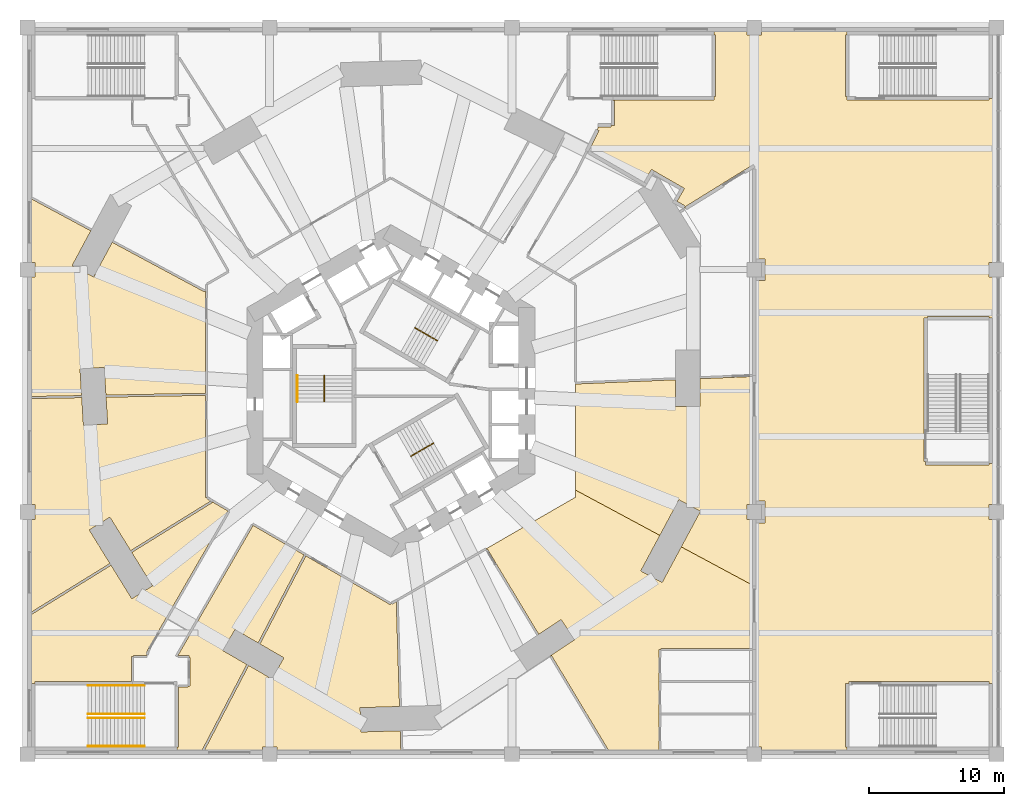
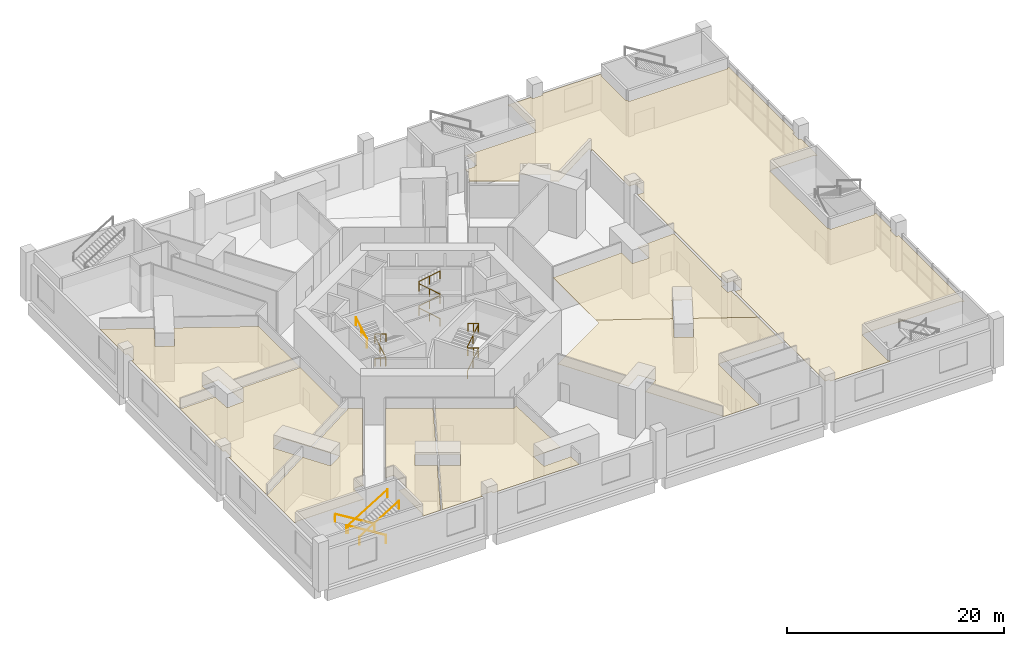
# One storey, part 15 of 16: 8 coverings, 8 railings.
"""IFC4 building model written with IfcOpenShell, lengths in metres."""

from ifc_helpers import new_model, si_unit, direction, frame, origin, origin_2d, place, context, subcontext, project, spatial, polyline, circle, outline, extrude, material, layer, layer_set, type_object, element, save


model = new_model("IFC4")

# Units and contexts
model_context = context("Model", 3, precision=1e-05, world=origin(), true_north=direction((0.0, 1.0)))
body_context = subcontext(model_context, "Body", "Model", "MODEL_VIEW")
ifc_project = project(units=[si_unit("LENGTHUNIT", "METRE"), si_unit("AREAUNIT", "SQUARE_METRE"), si_unit("VOLUMEUNIT", "CUBIC_METRE"), si_unit("PLANEANGLEUNIT", "RADIAN"), si_unit("MASSUNIT", "GRAM", prefix="KILO")], contexts=[model_context])

# Site, building, storey
site_placement = place(None, origin())
site = spatial("IfcSite", under=ifc_project, at=site_placement, CompositionType="ELEMENT")
building_placement = place(site_placement, origin())
building = spatial("IfcBuilding", under=site, at=building_placement, Name="Vanh Sen Convention Tower", CompositionType="ELEMENT")
storey_placement = place(building_placement, frame((0.0, 0.0, 7.5)))
storey = spatial("IfcBuildingStorey", under=building, at=storey_placement, Name="L01", CompositionType="ELEMENT", Elevation=7.5)

# Railings
ifc_material_1 = material(Name="Stainless steel", Category="steel")
railing_type_1 = type_object("IfcRailingType", Name="Podium handrail 900", PredefinedType="HANDRAIL", material=ifc_material_1)
for number, where, name in (
    (1, (-18.300048828125, -21.89990234375, 0.171875), "Handrail PS6 L01"),
    (2, (-18.300048828125, -24.0, 0.171875), "Handrail PS6 L01"),
):
    element("IfcRailing", number, at=place(storey_placement, frame(where)), inside=storey, type_object=railing_type_1, Name=name, PredefinedType="HANDRAIL", context=body_context, shape_type="SweptSolid", body=[
        extrude(circle(Radius=0.02392578125, at=origin_2d()), frame((0.0, 0.0, 0.8759765625), z_axis=(-0.852242915053, 0.0, 0.523146264196), x_axis=(0.0, -1.0, 0.0)), (0.0, 0.0, 1.0), 4.92822265625),
        extrude(circle(Radius=0.02099609375, at=origin_2d()), origin(), (0.0, 0.0, 1.0), 0.851806640625),
        extrude(circle(Radius=0.02099609375, at=origin_2d()), frame((-4.199951171875, 0.0, 2.578125)), (0.0, 0.0, 1.0), 0.851806640625),
    ])
for number, where, name in (
    (3, (-22.5, -26.39990234375, 2.921875), "Handrail PS6 L01"),
    (4, (-22.5, -24.300048828125, 2.921875), "Handrail PS6 L01"),
):
    element("IfcRailing", number, at=place(storey_placement, frame(where)), inside=storey, type_object=railing_type_1, Name=name, PredefinedType="HANDRAIL", context=body_context, shape_type="SweptSolid", body=[
        extrude(circle(Radius=0.02392578125, at=origin_2d()), frame((0.0, 0.0, 0.8759765625), z_axis=(0.852242915053, 0.0, 0.523146264196), x_axis=(0.0, 1.0, 0.0)), (0.0, 0.0, 1.0), 4.92822265625),
        extrude(circle(Radius=0.02099609375, at=origin_2d()), origin(), (0.0, 0.0, 1.0), 0.851806640625),
        extrude(circle(Radius=0.02099609375, at=origin_2d()), frame((4.199951171875, 0.0, 2.578125)), (0.0, 0.0, 1.0), 0.851806640625),
    ])
ifc_material_2 = material(Name="Stainless steel handrail", Category="steel")
railing_type_2 = type_object("IfcRailingType", Name="Stair handrail 900", PredefinedType="HANDRAIL", material=ifc_material_2)
railing_1_placement = place(storey_placement, frame((3.45849609375, 3.690185546875, 0.171875)))
element("IfcRailing", 5, at=railing_1_placement, inside=storey, type_object=railing_type_2, Name="Stair handrail ST1 L01", PredefinedType="HANDRAIL", context=body_context, shape_type="SweptSolid", body=[
    extrude(circle(Radius=0.02392578125, at=origin_2d()), frame((0.0, 0.0, 0.8759765625), z_axis=(-0.738088823262, 0.426102191367, 0.52312695542), x_axis=(-0.499970440388, -0.866042469362, 0.0)), (0.0, 0.0, 1.0), 2.2998046875),
    extrude(circle(Radius=0.02392578125, at=origin_2d()), frame((-1.697509765625, 0.97998046875, 2.0791015625), z_axis=(0.499298623879, 0.866429964967, 0.0), x_axis=(-0.866429964967, 0.499298623879, 0.0)), (0.0, 0.0, 1.0), 0.0498046875),
    extrude(circle(Radius=0.02392578125, at=origin_2d()), frame((-1.672607421875, 1.023193359375, 2.0791015625), z_axis=(0.0, 0.0, 1.0), x_axis=(1.0, 0.0, 0.0)), (0.0, 0.0, 1.0), 0.171875),
    extrude(circle(Radius=0.02392578125, at=origin_2d()), frame((-1.672607421875, 1.023193359375, 2.2509765625), z_axis=(0.738088823262, -0.426102191367, 0.52312695542), x_axis=(0.499970440388, 0.866042469362, 0.0)), (0.0, 0.0, 1.0), 2.2998046875),
    extrude(circle(Radius=0.02392578125, at=origin_2d()), frame((0.02490234375, 0.043212890625, 3.4541015625), z_axis=(-0.499298623879, -0.866429964967, 0.0), x_axis=(0.866429964967, -0.499298623879, 0.0)), (0.0, 0.0, 1.0), 0.0498046875),
    extrude(circle(Radius=0.02392578125, at=origin_2d()), frame((0.0, 0.0, 3.4541015625), z_axis=(0.0, 0.0, 1.0), x_axis=(1.0, 0.0, 0.0)), (0.0, 0.0, 1.0), 0.171875),
    extrude(circle(Radius=0.02392578125, at=origin_2d()), frame((0.0, 0.0, 3.6259765625), z_axis=(-0.738088823262, 0.426102191367, 0.52312695542), x_axis=(-0.499970440388, -0.866042469362, 0.0)), (0.0, 0.0, 1.0), 2.2998046875),
    extrude(circle(Radius=0.02392578125, at=origin_2d()), frame((-1.697509765625, 0.97998046875, 4.8291015625), z_axis=(0.499298623879, 0.866429964967, 0.0), x_axis=(-0.866429964967, 0.499298623879, 0.0)), (0.0, 0.0, 1.0), 0.0498046875),
    extrude(circle(Radius=0.02392578125, at=origin_2d()), frame((-1.672607421875, 1.023193359375, 4.8291015625), z_axis=(0.0, 0.0, 1.0), x_axis=(1.0, 0.0, 0.0)), (0.0, 0.0, 1.0), 0.171875),
    extrude(circle(Radius=0.02392578125, at=origin_2d()), frame((-1.672607421875, 1.023193359375, 5.0009765625), z_axis=(0.738088823262, -0.426102191367, 0.52312695542), x_axis=(0.499970440388, 0.866042469362, 0.0)), (0.0, 0.0, 1.0), 2.2998046875),
    extrude(circle(Radius=0.02099609375, at=origin_2d()), origin(), (0.0, 0.0, 1.0), 0.851806640625),
    extrude(circle(Radius=0.02099609375, at=origin_2d()), frame((-0.8486328125, 0.489990234375, 0.6015625)), (0.0, 0.0, 1.0), 0.851806640625),
    extrude(circle(Radius=0.02099609375, at=origin_2d()), frame((-1.697509765625, 0.97998046875, 1.203125)), (0.0, 0.0, 1.0), 0.851806640625),
    extrude(circle(Radius=0.02099609375, at=origin_2d()), frame((-1.672607421875, 1.023193359375, 1.203125)), (0.0, 0.0, 1.0), 0.851806640625),
    extrude(circle(Radius=0.02099609375, at=origin_2d()), frame((-1.672607421875, 1.023193359375, 1.375)), (0.0, 0.0, 1.0), 0.851806640625),
    extrude(circle(Radius=0.02099609375, at=origin_2d()), frame((-0.82373046875, 0.533203125, 1.9765625)), (0.0, 0.0, 1.0), 0.851806640625),
    extrude(circle(Radius=0.02099609375, at=origin_2d()), frame((0.02490234375, 0.043212890625, 2.578125)), (0.0, 0.0, 1.0), 0.851806640625),
    extrude(circle(Radius=0.02099609375, at=origin_2d()), frame((0.0, 0.0, 2.578125)), (0.0, 0.0, 1.0), 0.851806640625),
    extrude(circle(Radius=0.02099609375, at=origin_2d()), frame((0.0, 0.0, 2.75)), (0.0, 0.0, 1.0), 0.851806640625),
    extrude(circle(Radius=0.02099609375, at=origin_2d()), frame((-0.8486328125, 0.489990234375, 3.3515625)), (0.0, 0.0, 1.0), 0.851806640625),
    extrude(circle(Radius=0.02099609375, at=origin_2d()), frame((-1.697509765625, 0.97998046875, 3.953125)), (0.0, 0.0, 1.0), 0.851806640625),
    extrude(circle(Radius=0.02099609375, at=origin_2d()), frame((-1.672607421875, 1.023193359375, 3.953125)), (0.0, 0.0, 1.0), 0.851806640625),
    extrude(circle(Radius=0.02099609375, at=origin_2d()), frame((-1.672607421875, 1.023193359375, 4.125)), (0.0, 0.0, 1.0), 0.851806640625),
    extrude(circle(Radius=0.02099609375, at=origin_2d()), frame((-0.82373046875, 0.533203125, 4.7265625)), (0.0, 0.0, 1.0), 0.851806640625),
    extrude(circle(Radius=0.02099609375, at=origin_2d()), frame((0.02490234375, 0.043212890625, 5.328125)), (0.0, 0.0, 1.0), 0.851806640625),
])
railing_2_placement = place(storey_placement, frame((-4.925048828125, 1.14990234375, 0.171875)))
element("IfcRailing", 6, at=railing_2_placement, inside=storey, type_object=railing_type_2, Name="Stair handrail ST2 L01", PredefinedType="HANDRAIL", context=body_context, shape_type="SweptSolid", body=[
    extrude(circle(Radius=0.02392578125, at=origin_2d()), frame((0.0, 0.0, 0.8759765625), z_axis=(0.0, -0.852240978134, 0.523149419562), x_axis=(1.0, 0.0, 0.0)), (0.0, 0.0, 1.0), 2.2998046875),
    extrude(circle(Radius=0.02392578125, at=origin_2d()), frame((0.0, -1.9599609375, 2.0791015625), z_axis=(-1.0, 0.0, 0.0), x_axis=(0.0, -1.0, 0.0)), (0.0, 0.0, 1.0), 0.050048828125),
    extrude(circle(Radius=0.02392578125, at=origin_2d()), frame((-0.050048828125, -1.9599609375, 2.0791015625), z_axis=(0.0, 0.0, 1.0), x_axis=(1.0, 0.0, 0.0)), (0.0, 0.0, 1.0), 0.171875),
    extrude(circle(Radius=0.02392578125, at=origin_2d()), frame((-0.050048828125, -1.9599609375, 2.2509765625), z_axis=(0.0, 0.852240978134, 0.523149419562), x_axis=(-1.0, 0.0, 0.0)), (0.0, 0.0, 1.0), 2.2998046875),
    extrude(circle(Radius=0.02392578125, at=origin_2d()), frame((-0.050048828125, 0.0, 3.4541015625), z_axis=(1.0, 0.0, 0.0), x_axis=(0.0, 1.0, 0.0)), (0.0, 0.0, 1.0), 0.050048828125),
    extrude(circle(Radius=0.02392578125, at=origin_2d()), frame((0.0, 0.0, 3.4541015625), z_axis=(0.0, 0.0, 1.0), x_axis=(1.0, 0.0, 0.0)), (0.0, 0.0, 1.0), 0.171875),
    extrude(circle(Radius=0.02392578125, at=origin_2d()), frame((0.0, 0.0, 3.6259765625), z_axis=(0.0, -0.852240978134, 0.523149419562), x_axis=(1.0, 0.0, 0.0)), (0.0, 0.0, 1.0), 2.2998046875),
    extrude(circle(Radius=0.02099609375, at=origin_2d()), origin(), (0.0, 0.0, 1.0), 0.851806640625),
    extrude(circle(Radius=0.02099609375, at=origin_2d()), frame((0.0, -0.97998046875, 0.6015625)), (0.0, 0.0, 1.0), 0.851806640625),
    extrude(circle(Radius=0.02099609375, at=origin_2d()), frame((0.0, -1.9599609375, 1.203125)), (0.0, 0.0, 1.0), 0.851806640625),
    extrude(circle(Radius=0.02099609375, at=origin_2d()), frame((-0.050048828125, -1.9599609375, 1.203125)), (0.0, 0.0, 1.0), 0.851806640625),
    extrude(circle(Radius=0.02099609375, at=origin_2d()), frame((-0.050048828125, -1.9599609375, 1.375)), (0.0, 0.0, 1.0), 0.851806640625),
    extrude(circle(Radius=0.02099609375, at=origin_2d()), frame((-0.050048828125, -0.97998046875, 1.9765625)), (0.0, 0.0, 1.0), 0.851806640625),
    extrude(circle(Radius=0.02099609375, at=origin_2d()), frame((-0.050048828125, 0.0, 2.578125)), (0.0, 0.0, 1.0), 0.851806640625),
    extrude(circle(Radius=0.02099609375, at=origin_2d()), frame((0.0, 0.0, 2.578125)), (0.0, 0.0, 1.0), 0.851806640625),
    extrude(circle(Radius=0.02099609375, at=origin_2d()), frame((0.0, 0.0, 2.75)), (0.0, 0.0, 1.0), 0.851806640625),
    extrude(circle(Radius=0.02099609375, at=origin_2d()), frame((0.0, -0.97998046875, 3.3515625)), (0.0, 0.0, 1.0), 0.851806640625),
    extrude(circle(Radius=0.02099609375, at=origin_2d()), frame((0.0, -1.9599609375, 3.953125)), (0.0, 0.0, 1.0), 0.851806640625),
])
railing_3_placement = place(storey_placement, frame((1.466552734375, -4.840087890625, 0.171875)))
element("IfcRailing", 7, at=railing_3_placement, inside=storey, type_object=railing_type_2, Name="Stair handrail ST3 L01", PredefinedType="HANDRAIL", context=body_context, shape_type="SweptSolid", body=[
    extrude(circle(Radius=0.02392578125, at=origin_2d()), frame((0.0, 0.0, 0.8759765625), z_axis=(0.738088823262, 0.426102191367, 0.52312695542), x_axis=(-0.499970440388, 0.866042469362, 0.0)), (0.0, 0.0, 1.0), 2.2998046875),
    extrude(circle(Radius=0.02392578125, at=origin_2d()), frame((1.697509765625, 0.97998046875, 2.0791015625), z_axis=(0.497188445666, -0.867642581652, 0.0), x_axis=(0.867642581652, 0.497188445666, 0.0)), (0.0, 0.0, 1.0), 0.050048828125),
    extrude(circle(Radius=0.02392578125, at=origin_2d()), frame((1.722412109375, 0.9365234375, 2.0791015625), z_axis=(0.0, 0.0, 1.0), x_axis=(1.0, 0.0, 0.0)), (0.0, 0.0, 1.0), 0.171875),
    extrude(circle(Radius=0.02392578125, at=origin_2d()), frame((1.722412109375, 0.9365234375, 2.2509765625), z_axis=(-0.738040493636, -0.42613557846, 0.523167944856), x_axis=(0.500024377727, -0.866011328839, 0.0)), (0.0, 0.0, 1.0), 2.2998046875),
    extrude(circle(Radius=0.02392578125, at=origin_2d()), frame((0.025146484375, -0.04345703125, 3.4541015625), z_axis=(-0.500844580232, 0.86553723574, 0.0), x_axis=(-0.86553723574, -0.500844580232, 0.0)), (0.0, 0.0, 1.0), 0.05029296875),
    extrude(circle(Radius=0.02392578125, at=origin_2d()), frame((0.0, 0.0, 3.4541015625), z_axis=(0.0, 0.0, 1.0), x_axis=(1.0, 0.0, 0.0)), (0.0, 0.0, 1.0), 0.171875),
    extrude(circle(Radius=0.02392578125, at=origin_2d()), frame((0.0, 0.0, 3.6259765625), z_axis=(0.738088823262, 0.426102191367, 0.52312695542), x_axis=(-0.499970440388, 0.866042469362, 0.0)), (0.0, 0.0, 1.0), 2.2998046875),
    extrude(circle(Radius=0.02392578125, at=origin_2d()), frame((1.697509765625, 0.97998046875, 4.8291015625), z_axis=(0.497188445666, -0.867642581652, 0.0), x_axis=(0.867642581652, 0.497188445666, 0.0)), (0.0, 0.0, 1.0), 0.050048828125),
    extrude(circle(Radius=0.02392578125, at=origin_2d()), frame((1.722412109375, 0.9365234375, 4.8291015625), z_axis=(0.0, 0.0, 1.0), x_axis=(1.0, 0.0, 0.0)), (0.0, 0.0, 1.0), 0.171875),
    extrude(circle(Radius=0.02392578125, at=origin_2d()), frame((1.722412109375, 0.9365234375, 5.0009765625), z_axis=(-0.738040493636, -0.42613557846, 0.523167944856), x_axis=(0.500024377727, -0.866011328839, 0.0)), (0.0, 0.0, 1.0), 2.2998046875),
    extrude(circle(Radius=0.02099609375, at=origin_2d()), origin(), (0.0, 0.0, 1.0), 0.851806640625),
    extrude(circle(Radius=0.02099609375, at=origin_2d()), frame((0.8486328125, 0.489990234375, 0.6015625)), (0.0, 0.0, 1.0), 0.851806640625),
    extrude(circle(Radius=0.02099609375, at=origin_2d()), frame((1.697509765625, 0.97998046875, 1.203125)), (0.0, 0.0, 1.0), 0.851806640625),
    extrude(circle(Radius=0.02099609375, at=origin_2d()), frame((1.722412109375, 0.9365234375, 1.203125)), (0.0, 0.0, 1.0), 0.851806640625),
    extrude(circle(Radius=0.02099609375, at=origin_2d()), frame((1.722412109375, 0.9365234375, 1.375)), (0.0, 0.0, 1.0), 0.851806640625),
    extrude(circle(Radius=0.02099609375, at=origin_2d()), frame((0.873779296875, 0.446533203125, 1.9765625)), (0.0, 0.0, 1.0), 0.851806640625),
    extrude(circle(Radius=0.02099609375, at=origin_2d()), frame((0.025146484375, -0.04345703125, 2.578125)), (0.0, 0.0, 1.0), 0.851806640625),
    extrude(circle(Radius=0.02099609375, at=origin_2d()), frame((0.0, 0.0, 2.578125)), (0.0, 0.0, 1.0), 0.851806640625),
    extrude(circle(Radius=0.02099609375, at=origin_2d()), frame((0.0, 0.0, 2.75)), (0.0, 0.0, 1.0), 0.851806640625),
    extrude(circle(Radius=0.02099609375, at=origin_2d()), frame((0.8486328125, 0.489990234375, 3.3515625)), (0.0, 0.0, 1.0), 0.851806640625),
    extrude(circle(Radius=0.02099609375, at=origin_2d()), frame((1.697509765625, 0.97998046875, 3.953125)), (0.0, 0.0, 1.0), 0.851806640625),
    extrude(circle(Radius=0.02099609375, at=origin_2d()), frame((1.722412109375, 0.9365234375, 3.953125)), (0.0, 0.0, 1.0), 0.851806640625),
    extrude(circle(Radius=0.02099609375, at=origin_2d()), frame((1.722412109375, 0.9365234375, 4.125)), (0.0, 0.0, 1.0), 0.851806640625),
    extrude(circle(Radius=0.02099609375, at=origin_2d()), frame((0.873779296875, 0.446533203125, 4.7265625)), (0.0, 0.0, 1.0), 0.851806640625),
    extrude(circle(Radius=0.02099609375, at=origin_2d()), frame((0.025146484375, -0.04345703125, 5.328125)), (0.0, 0.0, 1.0), 0.851806640625),
])
railing_4_placement = place(storey_placement, frame((-6.949951171875, -0.81005859375, 4.125)))
element("IfcRailing", 8, at=railing_4_placement, inside=storey, type_object=railing_type_2, Name="Stair wall handrail ST2 L01", PredefinedType="HANDRAIL", context=body_context, shape_type="SweptSolid", body=[
    extrude(circle(Radius=0.02392578125, at=origin_2d()), frame((0.0, 0.0, 0.8759765625), z_axis=(0.0, 0.0, 1.0), x_axis=(1.0, 0.0, 0.0)), (0.0, 0.0, 1.0), 0.171875),
    extrude(circle(Radius=0.02392578125, at=origin_2d()), frame((0.0, 0.0, 1.0478515625), z_axis=(0.0, 0.852240978134, 0.523149419562), x_axis=(-1.0, 0.0, 0.0)), (0.0, 0.0, 1.0), 2.2998046875),
    extrude(circle(Radius=0.02099609375, at=origin_2d()), origin(), (0.0, 0.0, 1.0), 0.851806640625),
    extrude(circle(Radius=0.02099609375, at=origin_2d()), frame((0.0, 0.0, 0.171875)), (0.0, 0.0, 1.0), 0.851806640625),
    extrude(circle(Radius=0.02099609375, at=origin_2d()), frame((0.0, 0.97998046875, 0.7734375)), (0.0, 0.0, 1.0), 0.851806640625),
    extrude(circle(Radius=0.02099609375, at=origin_2d()), frame((0.0, 1.9599609375, 1.375)), (0.0, 0.0, 1.0), 0.851806640625),
])

# Coverings
ifc_material_3 = material(Name="Mineral fibre tiles in a concealed grid")
ifc_layer = layer(ifc_material_3, 0.0400390625)
ifc_layer_set = layer_set([ifc_layer], Name="Mineral fibre tiles in a concealed grid")
covering_type = type_object("IfcCoveringType", Name="Suspended ceiling 600 x 600 tile", PredefinedType="CEILING", material=ifc_layer_set)
covering_1_placement = place(storey_placement, frame((0.0, 0.0, 3.9599609375)))
element("IfcCovering", 9, at=covering_1_placement, inside=storey, type_object=covering_type, Name="Suspended ceiling CL3 Plenary hall", PredefinedType="CEILING", context=body_context, shape_type="SweptSolid", body=[
    extrude(outline(polyline([(44.43994140625, 5.39990234375), (44.699951171875, 5.39990234375), (44.699951171875, 8.449951171875), (44.449951171875, 8.449951171875), (44.449951171875, 9.550048828125), (44.699951171875, 9.550048828125), (44.699951171875, 21.72509765625), (44.43994140625, 21.72509765625), (44.43994140625, 21.60009765625), (33.89990234375, 21.60009765625), (33.89990234375, 21.72509765625), (33.89990234375, 21.85009765625), (33.89990234375, 21.864990234375), (33.77490234375, 21.864990234375), (33.77490234375, 26.43994140625), (33.89990234375, 26.43994140625), (33.89990234375, 26.699951171875), (27.550048828125, 26.699951171875), (27.550048828125, 26.449951171875), (26.449951171875, 26.449951171875), (26.449951171875, 26.705078125), (24.008056640625, 26.705078125), (24.007568359375, 26.705078125), (24.007080078125, 26.705078125), (24.006591796875, 26.705078125), (24.006103515625, 26.70458984375), (24.0048828125, 26.7041015625), (24.00439453125, 26.7041015625), (24.00390625, 26.7041015625), (24.00341796875, 26.70361328125), (24.00244140625, 26.702880859375), (24.001953125, 26.702392578125), (24.00146484375, 26.702392578125), (24.0009765625, 26.701904296875), (24.0, 26.700927734375), (23.99951171875, 26.700439453125), (23.998046875, 26.698974609375), (23.99755859375, 26.698486328125), (23.99755859375, 26.697998046875), (23.9970703125, 26.697509765625), (23.99658203125, 26.696533203125), (23.99609375, 26.696044921875), (23.99609375, 26.695556640625), (23.99609375, 26.695068359375), (23.99560546875, 26.694091796875), (23.9951171875, 26.693603515625), (23.9951171875, 26.693115234375), (23.9951171875, 26.6923828125), (23.9951171875, 26.69189453125), (23.9951171875, 26.43994140625), (24.125, 26.43994140625), (24.125, 21.864990234375), (23.9951171875, 21.864990234375), (23.9951171875, 21.85009765625), (24.0, 21.85009765625), (24.0, 21.60009765625), (16.5, 21.60009765625), (16.5, 21.72607421875), (16.49951171875, 21.7255859375), (16.4990234375, 21.72509765625), (16.4990234375, 21.60009765625), (16.4951171875, 21.60009765625), (16.4951171875, 21.5849609375), (16.625, 21.5849609375), (16.625, 19.72509765625), (16.375, 19.72509765625), (16.375, 19.72998046875), (16.360107421875, 19.72998046875), (16.360107421875, 19.60009765625), (15.39990234375, 19.60009765625), (15.39990234375, 19.72607421875), (15.3994140625, 19.7255859375), (15.39892578125, 19.72509765625), (15.39794921875, 19.72412109375), (15.3974609375, 19.723388671875), (15.3974609375, 19.722900390625), (15.39697265625, 19.722412109375), (15.396484375, 19.721435546875), (15.39599609375, 19.720947265625), (15.39599609375, 19.720458984375), (15.39599609375, 19.719970703125), (15.3955078125, 19.718994140625), (15.39501953125, 19.718505859375), (15.39501953125, 19.718017578125), (15.39501953125, 19.717529296875), (15.39501953125, 19.717041015625), (15.39501953125, 19.60888671875), (15.342041015625, 19.385498046875), (15.45458984375, 19.32958984375), (14.66845703125, 17.75146484375), (14.7275390625, 17.85302734375), (18.8095703125, 15.49658203125), (19.3583984375, 16.447021484375), (19.574951171875, 16.322509765625), (19.574951171875, 16.322021484375), (21.592041015625, 15.157470703125), (21.80908203125, 15.032470703125), (21.259521484375, 14.08154296875), (21.87158203125, 13.728515625), (21.806396484375, 13.615478515625), (21.905029296875, 13.55859375), (21.905517578125, 13.55859375), (21.906494140625, 13.55810546875), (21.906982421875, 13.5576171875), (21.907470703125, 13.5576171875), (21.907958984375, 13.5576171875), (21.908447265625, 13.5576171875), (21.908935546875, 13.556884765625), (21.909423828125, 13.556884765625), (21.909912109375, 13.556884765625), (21.910400390625, 13.556884765625), (21.910888671875, 13.556396484375), (21.91162109375, 13.556396484375), (21.912109375, 13.556396484375), (21.91259765625, 13.556396484375), (21.91357421875, 13.556396484375), (21.9140625, 13.556396484375), (21.91455078125, 13.556396484375), (21.9150390625, 13.556396484375), (21.846923828125, 13.66650390625), (26.93408203125, 16.814453125), (27.06591796875, 16.6015625), (27.0, 16.56103515625), (27.0, 16.482421875), (27.125, 16.482421875), (27.125, 9.800048828125), (27.802001953125, 9.800048828125), (27.802001953125, 9.550048828125), (27.802001953125, 8.449951171875), (27.802001953125, 8.199951171875), (27.125, 8.199951171875), (27.125, 1.1474609375), (27.125, -8.199951171875), (27.802001953125, -8.199951171875), (27.802001953125, -8.449951171875), (27.802001953125, -9.550048828125), (27.802001953125, -9.800048828125), (27.125, -9.800048828125), (27.125, -14.507568359375), (27.125, -19.199951171875), (27.125, -21.60009765625), (27.125, -24.0), (27.125, -26.449951171875), (27.550048828125, -26.449951171875), (27.550048828125, -26.699951171875), (33.89990234375, -26.699951171875), (33.89990234375, -26.43994140625), (33.77490234375, -26.43994140625), (33.77490234375, -21.72509765625), (33.89990234375, -21.72509765625), (34.02490234375, -21.72509765625), (34.0400390625, -21.72509765625), (34.0400390625, -21.60009765625), (44.43994140625, -21.60009765625), (44.43994140625, -21.72509765625), (44.699951171875, -21.72509765625), (44.699951171875, -9.550048828125), (44.449951171875, -9.550048828125), (44.449951171875, -8.449951171875), (44.699951171875, -8.449951171875), (44.699951171875, -5.39990234375), (44.43994140625, -5.39990234375), (44.43994140625, -5.52490234375), (39.72509765625, -5.52490234375), (39.72509765625, -5.39990234375), (39.72509765625, -5.27490234375), (39.72509765625, -5.260009765625), (39.60009765625, -5.260009765625), (39.60009765625, 5.39990234375), (39.72509765625, 5.39990234375), (39.85009765625, 5.39990234375), (39.864990234375, 5.39990234375), (39.864990234375, 5.52490234375), (44.43994140625, 5.52490234375), (44.43994140625, 5.39990234375)])), origin(), (0.0, 0.0, 1.0), 0.0400390625),
])
covering_2_placement = place(storey_placement, frame((0.0, 0.0, 3.9599609375)))
element("IfcCovering", 10, at=covering_2_placement, inside=storey, type_object=covering_type, Name="Suspended ceiling CL3 Convention foyer", PredefinedType="CEILING", context=body_context, shape_type="SweptSolid", body=[
    extrude(outline(polyline([(13.699951171875, 0.58251953125), (13.699951171875, -7.361083984375), (19.98583984375, -10.738525390625), (21.40576171875, -8.095947265625), (22.991455078125, -8.947998046875), (21.5712890625, -11.5908203125), (26.875, -14.4404296875), (26.875, -9.550048828125), (26.449951171875, -9.550048828125), (26.449951171875, -8.449951171875), (26.875, -8.449951171875), (26.875, 1.14208984375), (26.860107421875, 1.1416015625), (26.863525390625, 1.06640625), (22.952880859375, 0.90087890625), (22.949951171875, 0.9755859375), (22.949951171875, -1.162841796875), (21.14990234375, -1.162841796875), (21.14990234375, 0.824462890625), (13.702880859375, 0.507568359375), (13.699951171875, 0.58251953125)])), origin(), (0.0, 0.0, 1.0), 0.0400390625),
])
covering_3_placement = place(storey_placement, frame((0.0, 0.0, 3.9599609375)))
element("IfcCovering", 11, at=covering_3_placement, inside=storey, type_object=covering_type, Name="Suspended ceiling CL3 Lounge", PredefinedType="CEILING", context=body_context, shape_type="SweptSolid", body=[
    extrude(outline(polyline([(-13.781494140625, -0.181396484375), (-13.780029296875, -0.256591796875), (-13.77490234375, -0.256591796875), (-13.77490234375, -0.2548828125), (-13.77490234375, 7.361572265625), (-13.77490234375, 7.402099609375), (-13.805419921875, 7.41845703125), (-13.841064453125, 7.35205078125), (-20.70068359375, 11.037841796875), (-22.085205078125, 8.461181640625), (-23.6708984375, 9.313232421875), (-22.2509765625, 11.9560546875), (-22.2509765625, 11.9560546875), (-22.28662109375, 11.889892578125), (-26.699951171875, 14.261474609375), (-26.699951171875, 9.550048828125), (-26.449951171875, 9.550048828125), (-26.449951171875, 8.449951171875), (-26.699951171875, 8.449951171875), (-26.699951171875, -0.422119140625), (-22.97119140625, -0.3525390625), (-23.092529296875, 1.630615234375), (-21.2958984375, 1.740478515625), (-21.16552734375, -0.390380859375), (-21.1669921875, -0.319091796875), (-13.781494140625, -0.181396484375)])), origin(), (0.0, 0.0, 1.0), 0.0400390625),
])
covering_4_placement = place(storey_placement, frame((0.0, 0.0, 3.9599609375)))
element("IfcCovering", 12, at=covering_4_placement, inside=storey, type_object=covering_type, Name="Suspended ceiling CL3 Breakout meeting room", PredefinedType="CEILING", context=body_context, shape_type="SweptSolid", body=[
    extrude(outline(polyline([(-13.685546875, -8.00439453125), (-13.64794921875, -7.939453125), (-13.699951171875, -7.909423828125), (-13.77490234375, -7.909423828125), (-13.77490234375, -0.256591796875), (-13.780029296875, -0.256591796875), (-13.778564453125, -0.33154296875), (-21.160888671875, -0.468994140625), (-21.03955078125, -2.45166015625), (-22.836181640625, -2.5615234375), (-22.96630859375, -0.4306640625), (-22.965087890625, -0.50244140625), (-26.698486328125, -0.572021484375), (-26.699951171875, -0.4970703125), (-26.699951171875, -8.449951171875), (-26.449951171875, -8.449951171875), (-26.449951171875, -9.550048828125), (-26.699951171875, -9.550048828125), (-26.699951171875, -16.4345703125), (-23.882568359375, -14.6904296875), (-20.863037109375, -12.822509765625), (-20.8544921875, -12.836181640625), (-22.402099609375, -10.3349609375), (-20.87158203125, -9.3876953125), (-19.31689453125, -11.900390625), (-19.33251953125, -11.875), (-13.37109375, -8.18603515625), (-13.685546875, -8.00439453125)])), origin(), (0.0, 0.0, 1.0), 0.0400390625),
])
covering_5_placement = place(storey_placement, frame((0.0, 0.0, 3.9599609375)))
element("IfcCovering", 13, at=covering_5_placement, inside=storey, type_object=covering_type, Name="Suspended ceiling CL3 Breakout meeting room", PredefinedType="CEILING", context=body_context, shape_type="SweptSolid", body=[
    extrude(outline(polyline([(-26.43994140625, -21.60009765625), (-19.199951171875, -21.60009765625), (-19.199951171875, -21.5849609375), (-19.27490234375, -21.5849609375), (-19.27490234375, -19.72509765625), (-19.199951171875, -19.72509765625), (-19.125, -19.72509765625), (-19.1201171875, -19.72509765625), (-19.1201171875, -19.64990234375), (-18.10009765625, -19.64990234375), (-18.10009765625, -19.593017578125), (-18.172607421875, -19.573486328125), (-18.10400390625, -19.319091796875), (-18.031494140625, -19.33837890625), (-18.021484375, -19.321044921875), (-18.08642578125, -19.283447265625), (-12.10009765625, -8.925537109375), (-12.034912109375, -8.962890625), (-12.032470703125, -8.958984375), (-13.262451171875, -8.2490234375), (-13.297607421875, -8.22900390625), (-13.326904296875, -8.2470703125), (-13.28759765625, -8.31103515625), (-19.25341796875, -12.00244140625), (-19.28125, -11.9580078125), (-17.71435546875, -14.489990234375), (-19.2451171875, -15.437255859375), (-20.783935546875, -12.949951171875), (-23.803466796875, -14.818603515625), (-26.660400390625, -16.58642578125), (-26.699951171875, -16.5224609375), (-26.699951171875, -21.72509765625), (-26.43994140625, -21.72509765625), (-26.43994140625, -21.60009765625)])), origin(), (0.0, 0.0, 1.0), 0.0400390625),
])
covering_6_placement = place(storey_placement, frame((0.0, 0.0, 3.9599609375)))
element("IfcCovering", 14, at=covering_6_placement, inside=storey, type_object=covering_type, Name="Suspended ceiling CL3 Breakout meeting room", PredefinedType="CEILING", context=body_context, shape_type="SweptSolid", body=[
    extrude(outline(polyline([(-15.0, -19.72509765625), (-15.0, -19.800048828125), (-15.0, -19.804931640625), (-14.925048828125, -19.804931640625), (-14.925048828125, -21.925048828125), (-15.0, -21.925048828125), (-15.074951171875, -21.925048828125), (-15.080078125, -21.925048828125), (-15.080078125, -22.0), (-15.760009765625, -22.0), (-15.760009765625, -21.925048828125), (-15.77490234375, -21.925048828125), (-15.77490234375, -26.43994140625), (-15.89990234375, -26.43994140625), (-15.89990234375, -26.699951171875), (-13.9384765625, -26.699951171875), (-14.0048828125, -26.66552734375), (-12.751953125, -24.265380859375), (-10.696533203125, -20.32861328125), (-10.63134765625, -20.3623046875), (-12.482177734375, -19.293701171875), (-11.58203125, -17.735107421875), (-9.861572265625, -18.728271484375), (-6.448974609375, -12.19189453125), (-6.382568359375, -12.2265625), (-6.380615234375, -12.222412109375), (-6.383056640625, -12.220947265625), (-6.383056640625, -12.220458984375), (-10.300537109375, -9.958984375), (-10.302978515625, -9.96337890625), (-10.238037109375, -10.0009765625), (-15.81494140625, -19.64990234375), (-15.0, -19.64990234375), (-15.0, -19.72509765625)])), origin(), (0.0, 0.0, 1.0), 0.0400390625),
])
covering_7_placement = place(storey_placement, frame((0.0, 0.0, 3.9599609375)))
element("IfcCovering", 15, at=covering_7_placement, inside=storey, type_object=covering_type, Name="Suspended ceiling CL3 Breakout meeting room", PredefinedType="CEILING", context=body_context, shape_type="SweptSolid", body=[
    extrude(outline(polyline([(0.089599609375, -15.8544921875), (0.052001953125, -15.78955078125), (0.0, -15.819580078125), (-0.03759765625, -15.884521484375), (-6.380615234375, -12.222412109375), (-6.382568359375, -12.2265625), (-6.31591796875, -12.261474609375), (-9.72998046875, -18.800537109375), (-9.794677734375, -18.76708984375), (-7.944580078125, -19.8349609375), (-8.8447265625, -21.393798828125), (-10.565185546875, -20.400634765625), (-12.618896484375, -24.33447265625), (-13.85400390625, -26.699951171875), (-9.550048828125, -26.699951171875), (-9.550048828125, -26.449951171875), (-8.449951171875, -26.449951171875), (-8.449951171875, -26.699951171875), (0.740966796875, -26.699951171875), (0.696533203125, -25.250244140625), (-2.227294921875, -25.339599609375), (-2.2822265625, -23.540283203125), (0.6416015625, -23.450927734375), (0.404052734375, -15.673095703125), (0.089599609375, -15.8544921875)])), origin(), (0.0, 0.0, 1.0), 0.0400390625),
])
covering_8_placement = place(storey_placement, frame((0.0, 0.0, 3.9599609375)))
element("IfcCovering", 16, at=covering_8_placement, inside=storey, type_object=covering_type, Name="Suspended ceiling CL3 Convention foyer", PredefinedType="CEILING", context=body_context, shape_type="SweptSolid", body=[
    extrude(outline(polyline([(26.860107421875, -19.125), (26.860107421875, -19.199951171875), (26.875, -19.199951171875), (26.875, -14.507568359375), (26.875, -14.4404296875), (21.5712890625, -11.5908203125), (20.1513671875, -14.2333984375), (18.56591796875, -13.38134765625), (19.98583984375, -10.738525390625), (13.699951171875, -7.361083984375), (13.699951171875, -7.909423828125), (7.070556640625, -11.737060546875), (7.112060546875, -11.805419921875), (7.176025390625, -11.76708984375), (10.986328125, -18.09130859375), (12.64306640625, -16.994873046875), (13.636474609375, -18.495849609375), (11.853515625, -19.67626953125), (11.87939453125, -19.719482421875), (11.943603515625, -19.680908203125), (16.14892578125, -26.66162109375), (16.0849609375, -26.699951171875), (19.925048828125, -26.699951171875), (19.925048828125, -24.0), (19.925048828125, -21.60009765625), (19.925048828125, -19.199951171875), (20.0, -19.199951171875), (20.074951171875, -19.199951171875), (20.080078125, -19.199951171875), (20.080078125, -19.125), (26.860107421875, -19.125)])), origin(), (0.0, 0.0, 1.0), 0.0400390625),
])

save(model, "model.ifc")
